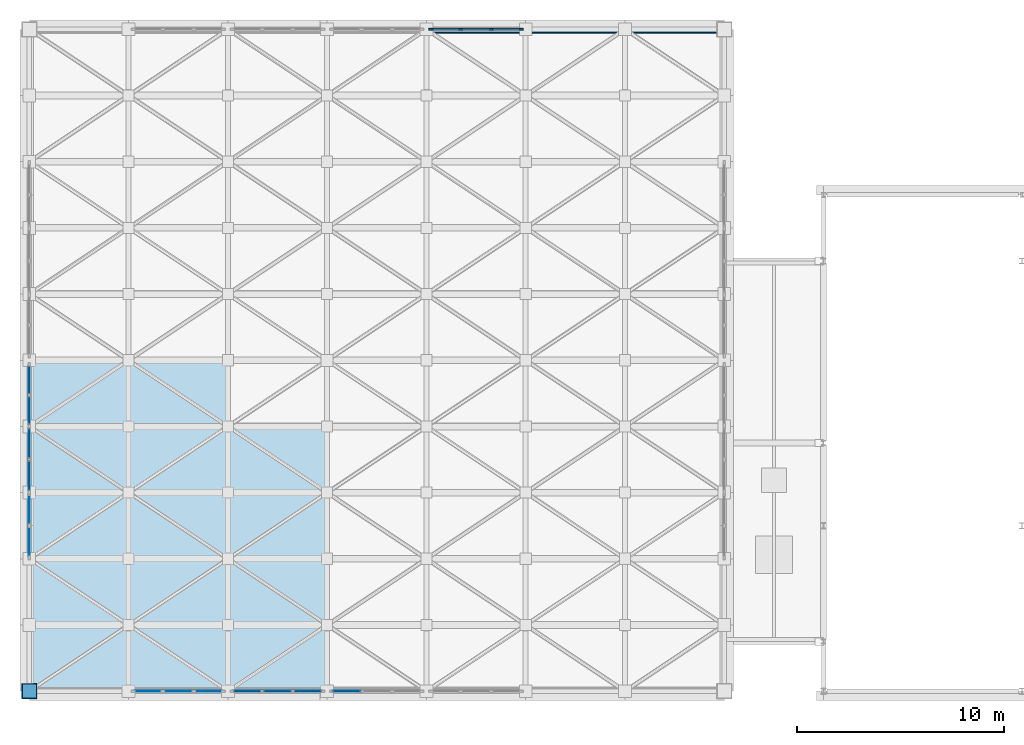
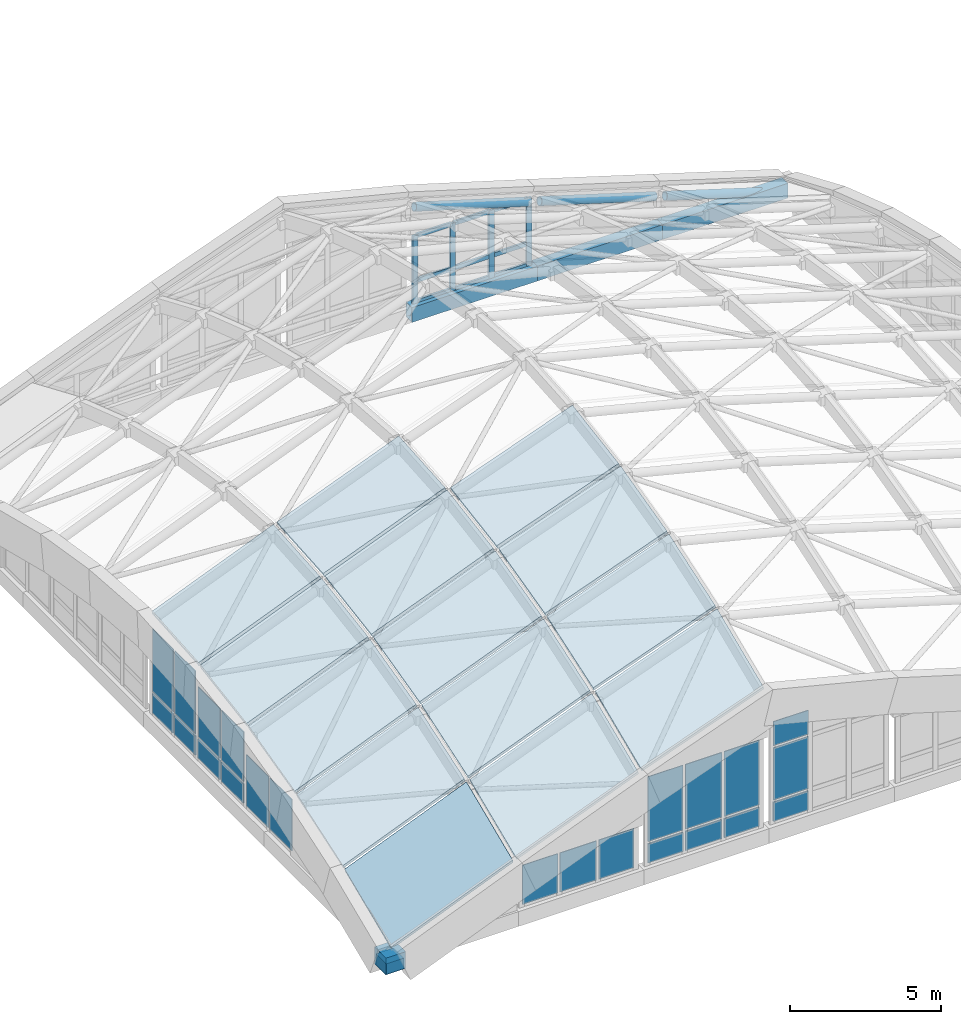
# One storey, part 9 of 14: 24 plates, 16 members, 14 slabs, 3 beams, 7 elements without a shape of their own.
"""IFC4 building model written with IfcOpenShell, lengths in metres."""

from ifc_helpers import new_model, si_unit, direction, frame, origin, origin_2d, place, context, subcontext, project, spatial, polyline, rectangle, hollow_rectangle, hollow_circle, outline, extrude, material, layer, layer_set, material_profile, profile_set, type_object, element, aggregate, save


model = new_model("IFC4")

# Units and contexts
model_context = context("Model", 3, precision=1e-05, world=origin(), true_north=direction((0.0, 1.0)))
body_context = subcontext(model_context, "Body", "Model", "MODEL_VIEW")
ifc_project = project(units=[si_unit("LENGTHUNIT", "METRE"), si_unit("AREAUNIT", "SQUARE_METRE"), si_unit("VOLUMEUNIT", "CUBIC_METRE"), si_unit("PLANEANGLEUNIT", "RADIAN"), si_unit("MASSUNIT", "GRAM", prefix="KILO")], contexts=[model_context])

# Site, building, storey
site_placement = place(None, origin())
site = spatial("IfcSite", under=ifc_project, at=site_placement, CompositionType="ELEMENT")
building_placement = place(site_placement, origin())
building = spatial("IfcBuilding", under=site, at=building_placement, Name="Dunescarp Central Library", CompositionType="ELEMENT")
storey_placement = place(building_placement, frame((0.0, 0.0, 31.800048828125)))
storey = spatial("IfcBuildingStorey", under=building, at=storey_placement, Name="ROOF", CompositionType="ELEMENT", Elevation=31.800048828125)

# Curtain wall, members
ifc_material_1 = material(Name="Marine-grade anodised aluminium 6063-T6", Category="aluminium")
curtain_wall_type = type_object("IfcCurtainWallType", Name="ARC-CW-CROWN", PredefinedType="NOTDEFINED", material=ifc_material_1)
curtain_wall_1_placement = place(storey_placement, origin())
curtain_wall_1 = element("IfcCurtainWall", 1, at=curtain_wall_1_placement, inside=storey, type_object=curtain_wall_type, Name="ROOF curtain wall CW-CROWN-N5", PredefinedType="NOTDEFINED")
ifc_material_profile_1 = material_profile(ifc_material_1, rectangle(XDim=0.090087890625, YDim=0.199951171875, at=origin_2d()), Name="AL 90x200")
ifc_profile_set_1 = profile_set([ifc_material_profile_1], Name="Marine-grade anodised aluminium 6063-T6")
member_type_1 = type_object("IfcMemberType", Name="ARC-CWM-200", PredefinedType="MULLION", material=ifc_profile_set_1)
member_1_placement = place(storey_placement, frame((19.419921875, 36.800048828125, 0.0), z_axis=(0.0, 0.0, 1.0), x_axis=(0.0, 1.0, 0.0)))
member_1 = element("IfcMember", 2, at=member_1_placement, type_object=member_type_1, Name="CW-CROWN-N5 mullion 1", PredefinedType="MULLION", context=body_context, shape_type="SweptSolid", body=[
    extrude(rectangle(XDim=0.090087890625, YDim=0.199951171875, at=origin_2d()), origin(), (0.0, 0.0, 1.0), 2.75),
])
member_2_placement = place(storey_placement, frame((20.8583984375, 36.800048828125, 0.0), z_axis=(0.0, 0.0, 1.0), x_axis=(0.0, 1.0, 0.0)))
member_2 = element("IfcMember", 3, at=member_2_placement, type_object=member_type_1, Name="CW-CROWN-N5 mullion 2", PredefinedType="MULLION", context=body_context, shape_type="SweptSolid", body=[
    extrude(rectangle(XDim=0.090087890625, YDim=0.199951171875, at=origin_2d()), origin(), (0.0, 0.0, 1.0), 2.75),
])
member_3_placement = place(storey_placement, frame((22.341552734375, 36.800048828125, 0.0), z_axis=(0.0, 0.0, 1.0), x_axis=(0.0, 1.0, 0.0)))
member_3 = element("IfcMember", 4, at=member_3_placement, type_object=member_type_1, Name="CW-CROWN-N5 mullion 3", PredefinedType="MULLION", context=body_context, shape_type="SweptSolid", body=[
    extrude(rectangle(XDim=0.090087890625, YDim=0.199951171875, at=origin_2d()), origin(), (0.0, 0.0, 1.0), 2.75),
])
member_4_placement = place(storey_placement, frame((23.780029296875, 36.800048828125, 0.0), z_axis=(0.0, 0.0, 1.0), x_axis=(0.0, 1.0, 0.0)))
member_4 = element("IfcMember", 5, at=member_4_placement, type_object=member_type_1, Name="CW-CROWN-N5 mullion 4", PredefinedType="MULLION", context=body_context, shape_type="SweptSolid", body=[
    extrude(rectangle(XDim=0.090087890625, YDim=0.199951171875, at=origin_2d()), origin(), (0.0, 0.0, 1.0), 2.75),
])
ifc_material_profile_2 = material_profile(ifc_material_1, rectangle(XDim=0.080078125, YDim=0.169921875, at=origin_2d()), Name="AL 80x170")
ifc_profile_set_2 = profile_set([ifc_material_profile_2], Name="Marine-grade anodised aluminium 6063-T6")
member_type_2 = type_object("IfcMemberType", Name="ARC-CWT-170", PredefinedType="USERDEFINED", material=ifc_profile_set_2)
member_5_placement = place(storey_placement, frame((19.465087890625, 36.800048828125, 0.0400390625), z_axis=(1.0, 0.0, 0.0), x_axis=(0.0, 1.0, 0.0)))
member_5 = element("IfcMember", 6, at=member_5_placement, type_object=member_type_2, Name="CW-CROWN-N5 transom 1.1", ObjectType="TRANSOM", PredefinedType="USERDEFINED", context=body_context, shape_type="SweptSolid", body=[
    extrude(rectangle(XDim=0.080078125, YDim=0.169921875, at=origin_2d()), origin(), (0.0, 0.0, 1.0), 1.34814453125),
])
member_6_placement = place(storey_placement, frame((19.465087890625, 36.800048828125, 0.89990234375), z_axis=(1.0, 0.0, 0.0), x_axis=(0.0, 1.0, 0.0)))
member_6 = element("IfcMember", 7, at=member_6_placement, type_object=member_type_2, Name="CW-CROWN-N5 transom 1.2", ObjectType="TRANSOM", PredefinedType="USERDEFINED", context=body_context, shape_type="SweptSolid", body=[
    extrude(rectangle(XDim=0.080078125, YDim=0.169921875, at=origin_2d()), origin(), (0.0, 0.0, 1.0), 1.34814453125),
])
member_7_placement = place(storey_placement, frame((19.465087890625, 36.800048828125, 2.7099609375), z_axis=(1.0, 0.0, 0.0), x_axis=(0.0, 1.0, 0.0)))
member_7 = element("IfcMember", 8, at=member_7_placement, type_object=member_type_2, Name="CW-CROWN-N5 transom 1.3", ObjectType="TRANSOM", PredefinedType="USERDEFINED", context=body_context, shape_type="SweptSolid", body=[
    extrude(rectangle(XDim=0.080078125, YDim=0.169921875, at=origin_2d()), origin(), (0.0, 0.0, 1.0), 1.34814453125),
])
member_8_placement = place(storey_placement, frame((20.9033203125, 36.800048828125, 0.0400390625), z_axis=(1.0, 0.0, 0.0), x_axis=(0.0, 1.0, 0.0)))
member_8 = element("IfcMember", 9, at=member_8_placement, type_object=member_type_2, Name="CW-CROWN-N5 transom 2.1", ObjectType="TRANSOM", PredefinedType="USERDEFINED", context=body_context, shape_type="SweptSolid", body=[
    extrude(rectangle(XDim=0.080078125, YDim=0.169921875, at=origin_2d()), origin(), (0.0, 0.0, 1.0), 1.393310546875),
])
member_9_placement = place(storey_placement, frame((20.9033203125, 36.800048828125, 0.89990234375), z_axis=(1.0, 0.0, 0.0), x_axis=(0.0, 1.0, 0.0)))
member_9 = element("IfcMember", 10, at=member_9_placement, type_object=member_type_2, Name="CW-CROWN-N5 transom 2.2", ObjectType="TRANSOM", PredefinedType="USERDEFINED", context=body_context, shape_type="SweptSolid", body=[
    extrude(rectangle(XDim=0.080078125, YDim=0.169921875, at=origin_2d()), origin(), (0.0, 0.0, 1.0), 1.393310546875),
])
member_10_placement = place(storey_placement, frame((20.9033203125, 36.800048828125, 2.7099609375), z_axis=(1.0, 0.0, 0.0), x_axis=(0.0, 1.0, 0.0)))
member_10 = element("IfcMember", 11, at=member_10_placement, type_object=member_type_2, Name="CW-CROWN-N5 transom 2.3", ObjectType="TRANSOM", PredefinedType="USERDEFINED", context=body_context, shape_type="SweptSolid", body=[
    extrude(rectangle(XDim=0.080078125, YDim=0.169921875, at=origin_2d()), origin(), (0.0, 0.0, 1.0), 1.393310546875),
])
member_11_placement = place(storey_placement, frame((22.38671875, 36.800048828125, 0.0400390625), z_axis=(1.0, 0.0, 0.0), x_axis=(0.0, 1.0, 0.0)))
member_11 = element("IfcMember", 12, at=member_11_placement, type_object=member_type_2, Name="CW-CROWN-N5 transom 3.1", ObjectType="TRANSOM", PredefinedType="USERDEFINED", context=body_context, shape_type="SweptSolid", body=[
    extrude(rectangle(XDim=0.080078125, YDim=0.169921875, at=origin_2d()), origin(), (0.0, 0.0, 1.0), 1.348388671875),
])
member_12_placement = place(storey_placement, frame((22.38671875, 36.800048828125, 0.89990234375), z_axis=(1.0, 0.0, 0.0), x_axis=(0.0, 1.0, 0.0)))
member_12 = element("IfcMember", 13, at=member_12_placement, type_object=member_type_2, Name="CW-CROWN-N5 transom 3.2", ObjectType="TRANSOM", PredefinedType="USERDEFINED", context=body_context, shape_type="SweptSolid", body=[
    extrude(rectangle(XDim=0.080078125, YDim=0.169921875, at=origin_2d()), origin(), (0.0, 0.0, 1.0), 1.348388671875),
])
member_13_placement = place(storey_placement, frame((22.38671875, 36.800048828125, 2.7099609375), z_axis=(1.0, 0.0, 0.0), x_axis=(0.0, 1.0, 0.0)))
member_13 = element("IfcMember", 14, at=member_13_placement, type_object=member_type_2, Name="CW-CROWN-N5 transom 3.3", ObjectType="TRANSOM", PredefinedType="USERDEFINED", context=body_context, shape_type="SweptSolid", body=[
    extrude(rectangle(XDim=0.080078125, YDim=0.169921875, at=origin_2d()), origin(), (0.0, 0.0, 1.0), 1.348388671875),
])
aggregate(curtain_wall_1, [member_1, member_2, member_3, member_4, member_5, member_6, member_7, member_8, member_9, member_10, member_11, member_12, member_13])

# Members
ifc_material_2 = material(Name="Steel S355J0", Category="steel")
ifc_material_profile_3 = material_profile(ifc_material_2, hollow_circle(Radius=0.161865234375, WallThickness=0.012451171875, at=origin_2d()), Name="CHS 323.9x12.5")
ifc_profile_set_3 = profile_set([ifc_material_profile_3], Name="Steel S355J0")
member_type_3 = type_object("IfcMemberType", Name="STR-GS-ARCH", PredefinedType="USERDEFINED", material=ifc_profile_set_3)
member_14_placement = place(storey_placement, frame((19.39111328125, 36.800048828125, 3.90185546875), z_axis=(0.957312244465, 0.0, -0.289055819173), x_axis=(0.0, 1.0, 0.0)))
element("IfcMember", 15, at=member_14_placement, inside=storey, type_object=member_type_3, Name="Gridshell arch rib GS-A-410", ObjectType="ARCH_SEGMENT", PredefinedType="USERDEFINED", context=body_context, shape_type="SweptSolid", body=[
    extrude(hollow_circle(Radius=0.161865234375, WallThickness=0.012451171875, at=origin_2d()), origin(), (0.0, 0.0, 1.0), 4.614990234375),
])
member_15_placement = place(storey_placement, frame((24.19091796875, 36.800048828125, 2.450927734375), z_axis=(0.956223495748, 0.0, -0.292637362923), x_axis=(0.0, 1.0, 0.0)))
element("IfcMember", 16, at=member_15_placement, inside=storey, type_object=member_type_3, Name="Gridshell arch rib GS-A-510", ObjectType="ARCH_SEGMENT", PredefinedType="USERDEFINED", context=body_context, shape_type="SweptSolid", body=[
    extrude(hollow_circle(Radius=0.161865234375, WallThickness=0.012451171875, at=origin_2d()), origin(), (0.0, 0.0, 1.0), 4.6201171875),
])
member_16_placement = place(storey_placement, frame((28.990966796875, 36.800048828125, 0.98095703125), z_axis=(0.955615584441, 0.0, -0.294616453669), x_axis=(0.0, 1.0, 0.0)))
element("IfcMember", 17, at=member_16_placement, inside=storey, type_object=member_type_3, Name="Gridshell arch rib GS-A-610", ObjectType="ARCH_SEGMENT", PredefinedType="USERDEFINED", context=body_context, shape_type="SweptSolid", body=[
    extrude(hollow_circle(Radius=0.161865234375, WallThickness=0.012451171875, at=origin_2d()), origin(), (0.0, 0.0, 1.0), 4.623046875),
])

# Beams
ifc_material_profile_4 = material_profile(ifc_material_2, hollow_rectangle(XDim=0.39990234375, YDim=0.60009765625, WallThickness=0.02001953125, at=origin_2d()), Name="RHS 600x400x20")
ifc_profile_set_4 = profile_set([ifc_material_profile_4], Name="Steel S355J0")
beam_type = type_object("IfcBeamType", Name="STR-SP-GRB1", PredefinedType="SPANDREL", material=ifc_profile_set_4)
for number, where, z_axis, x_axis, name in (
    (18, (19.199951171875, 36.800048828125, -0.300048828125), (1.0, 0.0, 0.0), (0.0, 1.0, 0.0), "Gridshell ring beam GRB-1 GRB1-N10"),
    (19, (24.0, 36.800048828125, -0.300048828125), (1.0, 0.0, 0.0), (0.0, 1.0, 0.0), "Gridshell ring beam GRB-1 GRB1-N12"),
    (20, (28.800048828125, 36.800048828125, -0.300048828125), (1.0, 0.0, 0.0), (0.0, 1.0, 0.0), "Gridshell ring beam GRB-1 GRB1-N14"),
):
    element("IfcBeam", number, at=place(storey_placement, frame(where, z_axis=z_axis, x_axis=x_axis)), inside=storey, type_object=beam_type, Name=name, PredefinedType="SPANDREL", context=body_context, shape_type="SweptSolid", body=[
        extrude(hollow_rectangle(XDim=0.39990234375, YDim=0.60009765625, WallThickness=0.02001953125, at=origin_2d()), origin(), (0.0, 0.0, 1.0), 4.800048828125),
    ])

# Curtain wall, plates
curtain_wall_2_placement = place(storey_placement, origin())
curtain_wall_2 = element("IfcCurtainWall", 21, at=curtain_wall_2_placement, inside=storey, type_object=curtain_wall_type, Name="ROOF curtain wall CW-CROWN-S2", PredefinedType="NOTDEFINED")
ifc_material_3 = material(Name="Solar-control laminated double glazing", Category="glass")
ifc_layer_1 = layer(ifc_material_3, 0.031982421875)
ifc_layer_set_1 = layer_set([ifc_layer_1], Name="Solar-control laminated double glazing")
plate_type_1 = type_object("IfcPlateType", Name="ARC-PLT-GLZ32", PredefinedType="CURTAIN_PANEL", material=ifc_layer_set_1)
plate_1_placement = place(storey_placement, frame((8.660888671875, 4.800048828125, 0.080078125), z_axis=(0.0, 0.0, 1.0), x_axis=(-1.0, 0.0, 0.0)))
plate_1 = element("IfcPlate", 22, at=plate_1_placement, type_object=plate_type_1, Name="CW-CROWN-S2 panel 1.1", PredefinedType="CURTAIN_PANEL", context=body_context, shape_type="SweptSolid", body=[
    extrude(rectangle(XDim=1.348388671875, YDim=0.031982421875, at=origin_2d()), origin(), (0.0, 0.0, 1.0), 1.590087890625),
])
plate_2_placement = place(storey_placement, frame((7.199951171875, 4.800048828125, 0.080078125), z_axis=(0.0, 0.0, 1.0), x_axis=(-1.0, 0.0, 0.0)))
plate_2 = element("IfcPlate", 23, at=plate_2_placement, type_object=plate_type_1, Name="CW-CROWN-S2 panel 2.1", PredefinedType="CURTAIN_PANEL", context=body_context, shape_type="SweptSolid", body=[
    extrude(rectangle(XDim=1.393310546875, YDim=0.031982421875, at=origin_2d()), origin(), (0.0, 0.0, 1.0), 1.590087890625),
])
plate_3_placement = place(storey_placement, frame((5.7392578125, 4.800048828125, 0.080078125), z_axis=(0.0, 0.0, 1.0), x_axis=(-1.0, 0.0, 0.0)))
plate_3 = element("IfcPlate", 24, at=plate_3_placement, type_object=plate_type_1, Name="CW-CROWN-S2 panel 3.1", PredefinedType="CURTAIN_PANEL", context=body_context, shape_type="SweptSolid", body=[
    extrude(rectangle(XDim=1.348388671875, YDim=0.031982421875, at=origin_2d()), origin(), (0.0, 0.0, 1.0), 1.590087890625),
])
aggregate(curtain_wall_2, [plate_1, plate_2, plate_3])

curtain_wall_3_placement = place(storey_placement, origin())
curtain_wall_3 = element("IfcCurtainWall", 25, at=curtain_wall_3_placement, inside=storey, type_object=curtain_wall_type, Name="ROOF curtain wall CW-CROWN-S3", PredefinedType="NOTDEFINED")
plate_4_placement = place(storey_placement, frame((13.4609375, 4.800048828125, 0.93994140625), z_axis=(0.0, 0.0, 1.0), x_axis=(-1.0, 0.0, 0.0)))
plate_4 = element("IfcPlate", 26, at=plate_4_placement, type_object=plate_type_1, Name="CW-CROWN-S3 panel 1.2", PredefinedType="CURTAIN_PANEL", context=body_context, shape_type="SweptSolid", body=[
    extrude(rectangle(XDim=1.348388671875, YDim=0.031982421875, at=origin_2d()), origin(), (0.0, 0.0, 1.0), 2.6298828125),
])
plate_5_placement = place(storey_placement, frame((12.0, 4.800048828125, 0.93994140625), z_axis=(0.0, 0.0, 1.0), x_axis=(-1.0, 0.0, 0.0)))
plate_5 = element("IfcPlate", 27, at=plate_5_placement, type_object=plate_type_1, Name="CW-CROWN-S3 panel 2.2", PredefinedType="CURTAIN_PANEL", context=body_context, shape_type="SweptSolid", body=[
    extrude(rectangle(XDim=1.393310546875, YDim=0.031982421875, at=origin_2d()), origin(), (0.0, 0.0, 1.0), 2.6298828125),
])
plate_6_placement = place(storey_placement, frame((10.5390625, 4.800048828125, 0.93994140625), z_axis=(0.0, 0.0, 1.0), x_axis=(-1.0, 0.0, 0.0)))
plate_6 = element("IfcPlate", 28, at=plate_6_placement, type_object=plate_type_1, Name="CW-CROWN-S3 panel 3.2", PredefinedType="CURTAIN_PANEL", context=body_context, shape_type="SweptSolid", body=[
    extrude(rectangle(XDim=1.348388671875, YDim=0.031982421875, at=origin_2d()), origin(), (0.0, 0.0, 1.0), 2.6298828125),
])

curtain_wall_4_placement = place(storey_placement, origin())
curtain_wall_4 = element("IfcCurtainWall", 29, at=curtain_wall_4_placement, inside=storey, type_object=curtain_wall_type, Name="ROOF curtain wall CW-CROWN-S4", PredefinedType="NOTDEFINED")
plate_7_placement = place(storey_placement, frame((15.339111328125, 4.800048828125, 0.93994140625), z_axis=(0.0, 0.0, 1.0), x_axis=(-1.0, 0.0, 0.0)))
plate_7 = element("IfcPlate", 30, at=plate_7_placement, type_object=plate_type_1, Name="CW-CROWN-S4 panel 3.2", PredefinedType="CURTAIN_PANEL", context=body_context, shape_type="SweptSolid", body=[
    extrude(rectangle(XDim=1.348388671875, YDim=0.031982421875, at=origin_2d()), origin(), (0.0, 0.0, 1.0), 2.1201171875),
])
plate_8_placement = place(storey_placement, frame((15.339111328125, 4.800048828125, 3.139892578125), z_axis=(0.0, 0.0, 1.0), x_axis=(-1.0, 0.0, 0.0)))
plate_8 = element("IfcPlate", 31, at=plate_8_placement, type_object=plate_type_1, Name="CW-CROWN-S4 panel 3.3", PredefinedType="CURTAIN_PANEL", context=body_context, shape_type="SweptSolid", body=[
    extrude(rectangle(XDim=1.348388671875, YDim=0.031982421875, at=origin_2d()), origin(), (0.0, 0.0, 1.0), 0.97998046875),
])

curtain_wall_5_placement = place(storey_placement, origin())
curtain_wall_5 = element("IfcCurtainWall", 32, at=curtain_wall_5_placement, inside=storey, type_object=curtain_wall_type, Name="ROOF curtain wall CW-CROWN-W3", PredefinedType="NOTDEFINED")
plate_9_placement = place(storey_placement, frame((0.0, 12.0224609375, 0.079833984375), z_axis=(0.0, 0.0, 1.0), x_axis=(0.0, 1.0, 0.0)))
plate_9 = element("IfcPlate", 33, at=plate_9_placement, type_object=plate_type_1, Name="CW-CROWN-W3 panel 1.1", PredefinedType="CURTAIN_PANEL", context=body_context, shape_type="SweptSolid", body=[
    extrude(rectangle(XDim=1.465087890625, YDim=0.031982421875, at=origin_2d()), origin(), (0.0, 0.0, 1.0), 2.080078125),
])
plate_10_placement = place(storey_placement, frame((0.0, 13.577392578125, 0.079833984375), z_axis=(0.0, 0.0, 1.0), x_axis=(0.0, 1.0, 0.0)))
plate_10 = element("IfcPlate", 34, at=plate_10_placement, type_object=plate_type_1, Name="CW-CROWN-W3 panel 2.1", PredefinedType="CURTAIN_PANEL", context=body_context, shape_type="SweptSolid", body=[
    extrude(rectangle(XDim=1.465087890625, YDim=0.031982421875, at=origin_2d()), origin(), (0.0, 0.0, 1.0), 2.080078125),
])
aggregate(curtain_wall_5, [plate_9, plate_10])

curtain_wall_6_placement = place(storey_placement, origin())
curtain_wall_6 = element("IfcCurtainWall", 35, at=curtain_wall_6_placement, inside=storey, type_object=curtain_wall_type, Name="ROOF curtain wall CW-CROWN-W4", PredefinedType="NOTDEFINED")
plate_11_placement = place(storey_placement, frame((0.0, 15.222412109375, 0.93994140625), z_axis=(0.0, 0.0, 1.0), x_axis=(0.0, 1.0, 0.0)))
plate_11 = element("IfcPlate", 36, at=plate_11_placement, type_object=plate_type_1, Name="CW-CROWN-W4 panel 1.2", PredefinedType="CURTAIN_PANEL", context=body_context, shape_type="SweptSolid", body=[
    extrude(rectangle(XDim=1.465087890625, YDim=0.031982421875, at=origin_2d()), origin(), (0.0, 0.0, 1.0), 2.02001953125),
])
plate_12_placement = place(storey_placement, frame((0.0, 16.777587890625, 0.93994140625), z_axis=(0.0, 0.0, 1.0), x_axis=(0.0, 1.0, 0.0)))
plate_12 = element("IfcPlate", 37, at=plate_12_placement, type_object=plate_type_1, Name="CW-CROWN-W4 panel 2.2", PredefinedType="CURTAIN_PANEL", context=body_context, shape_type="SweptSolid", body=[
    extrude(rectangle(XDim=1.465087890625, YDim=0.031982421875, at=origin_2d()), origin(), (0.0, 0.0, 1.0), 2.02001953125),
])

curtain_wall_7_placement = place(storey_placement, origin())
curtain_wall_7 = element("IfcCurtainWall", 38, at=curtain_wall_7_placement, inside=storey, type_object=curtain_wall_type, Name="ROOF curtain wall CW-CROWN-W5", PredefinedType="NOTDEFINED")
plate_13_placement = place(storey_placement, frame((0.0, 18.378662109375, 0.93994140625), z_axis=(0.0, 0.0, 1.0), x_axis=(0.0, 1.0, 0.0)))
plate_13 = element("IfcPlate", 39, at=plate_13_placement, type_object=plate_type_1, Name="CW-CROWN-W5 panel 1.2", PredefinedType="CURTAIN_PANEL", context=body_context, shape_type="SweptSolid", body=[
    extrude(rectangle(XDim=1.37744140625, YDim=0.031982421875, at=origin_2d()), origin(), (0.0, 0.0, 1.0), 2.5400390625),
])
plate_14_placement = place(storey_placement, frame((0.0, 19.84619140625, 0.93994140625), z_axis=(0.0, 0.0, 1.0), x_axis=(0.0, 1.0, 0.0)))
plate_14 = element("IfcPlate", 40, at=plate_14_placement, type_object=plate_type_1, Name="CW-CROWN-W5 panel 2.2", PredefinedType="CURTAIN_PANEL", context=body_context, shape_type="SweptSolid", body=[
    extrude(rectangle(XDim=1.37744140625, YDim=0.031982421875, at=origin_2d()), origin(), (0.0, 0.0, 1.0), 2.5400390625),
])

# Plate
ifc_layer_2 = layer(ifc_material_1, 0.050048828125)
ifc_layer_set_2 = layer_set([ifc_layer_2], Name="Marine-grade anodised aluminium 6063-T6")
plate_type_2 = type_object("IfcPlateType", Name="ARC-PLT-SPN50", PredefinedType="SHEET", material=ifc_layer_set_2)
plate_15_placement = place(storey_placement, frame((13.4609375, 4.800048828125, 0.080078125), z_axis=(0.0, 0.0, 1.0), x_axis=(-1.0, 0.0, 0.0)))
plate_15 = element("IfcPlate", 41, at=plate_15_placement, type_object=plate_type_2, Name="CW-CROWN-S3 panel 1.1", PredefinedType="SHEET", context=body_context, shape_type="SweptSolid", body=[
    extrude(rectangle(XDim=1.348388671875, YDim=0.050048828125, at=origin_2d()), origin(), (0.0, 0.0, 1.0), 0.780029296875),
])

plate_16_placement = place(storey_placement, frame((12.0, 4.800048828125, 0.080078125), z_axis=(0.0, 0.0, 1.0), x_axis=(-1.0, 0.0, 0.0)))
plate_16 = element("IfcPlate", 42, at=plate_16_placement, type_object=plate_type_2, Name="CW-CROWN-S3 panel 2.1", PredefinedType="SHEET", context=body_context, shape_type="SweptSolid", body=[
    extrude(rectangle(XDim=1.393310546875, YDim=0.050048828125, at=origin_2d()), origin(), (0.0, 0.0, 1.0), 0.780029296875),
])

plate_17_placement = place(storey_placement, frame((10.5390625, 4.800048828125, 0.080078125), z_axis=(0.0, 0.0, 1.0), x_axis=(-1.0, 0.0, 0.0)))
plate_17 = element("IfcPlate", 43, at=plate_17_placement, type_object=plate_type_2, Name="CW-CROWN-S3 panel 3.1", PredefinedType="SHEET", context=body_context, shape_type="SweptSolid", body=[
    extrude(rectangle(XDim=1.348388671875, YDim=0.050048828125, at=origin_2d()), origin(), (0.0, 0.0, 1.0), 0.780029296875),
])

aggregate(curtain_wall_3, [plate_15, plate_4, plate_16, plate_5, plate_17, plate_6])

plate_18_placement = place(storey_placement, frame((15.339111328125, 4.800048828125, 0.080078125), z_axis=(0.0, 0.0, 1.0), x_axis=(-1.0, 0.0, 0.0)))
plate_18 = element("IfcPlate", 44, at=plate_18_placement, type_object=plate_type_2, Name="CW-CROWN-S4 panel 3.1", PredefinedType="SHEET", context=body_context, shape_type="SweptSolid", body=[
    extrude(rectangle(XDim=1.348388671875, YDim=0.050048828125, at=origin_2d()), origin(), (0.0, 0.0, 1.0), 0.780029296875),
])

aggregate(curtain_wall_4, [plate_18, plate_7, plate_8])

plate_19_placement = place(storey_placement, frame((0.0, 15.222412109375, 0.080078125), z_axis=(0.0, 0.0, 1.0), x_axis=(0.0, 1.0, 0.0)))
plate_19 = element("IfcPlate", 45, at=plate_19_placement, type_object=plate_type_2, Name="CW-CROWN-W4 panel 1.1", PredefinedType="SHEET", context=body_context, shape_type="SweptSolid", body=[
    extrude(rectangle(XDim=1.465087890625, YDim=0.050048828125, at=origin_2d()), origin(), (0.0, 0.0, 1.0), 0.780029296875),
])

plate_20_placement = place(storey_placement, frame((0.0, 16.777587890625, 0.080078125), z_axis=(0.0, 0.0, 1.0), x_axis=(0.0, 1.0, 0.0)))
plate_20 = element("IfcPlate", 46, at=plate_20_placement, type_object=plate_type_2, Name="CW-CROWN-W4 panel 2.1", PredefinedType="SHEET", context=body_context, shape_type="SweptSolid", body=[
    extrude(rectangle(XDim=1.465087890625, YDim=0.050048828125, at=origin_2d()), origin(), (0.0, 0.0, 1.0), 0.780029296875),
])

aggregate(curtain_wall_6, [plate_19, plate_11, plate_20, plate_12])

plate_21_placement = place(storey_placement, frame((0.0, 18.378662109375, 0.080078125), z_axis=(0.0, 0.0, 1.0), x_axis=(0.0, 1.0, 0.0)))
plate_21 = element("IfcPlate", 47, at=plate_21_placement, type_object=plate_type_2, Name="CW-CROWN-W5 panel 1.1", PredefinedType="SHEET", context=body_context, shape_type="SweptSolid", body=[
    extrude(rectangle(XDim=1.37744140625, YDim=0.050048828125, at=origin_2d()), origin(), (0.0, 0.0, 1.0), 0.780029296875),
])

plate_22_placement = place(storey_placement, frame((0.0, 19.84619140625, 0.080078125), z_axis=(0.0, 0.0, 1.0), x_axis=(0.0, 1.0, 0.0)))
plate_22 = element("IfcPlate", 48, at=plate_22_placement, type_object=plate_type_2, Name="CW-CROWN-W5 panel 2.1", PredefinedType="SHEET", context=body_context, shape_type="SweptSolid", body=[
    extrude(rectangle(XDim=1.37744140625, YDim=0.050048828125, at=origin_2d()), origin(), (0.0, 0.0, 1.0), 0.780029296875),
])

aggregate(curtain_wall_7, [plate_21, plate_13, plate_22, plate_14])

# Plates
ifc_layer_3 = layer(ifc_material_2, 0.419921875)
ifc_layer_set_3 = layer_set([ifc_layer_3], Name="Steel S355J0")
plate_type_3 = type_object("IfcPlateType", Name="STR-NODE-GN01", PredefinedType="USERDEFINED", material=ifc_layer_set_3)
plate_23_placement = place(storey_placement, frame((0.0, 4.800048828125, -0.64990234375), z_axis=(0.0, 0.0, 1.0), x_axis=(1.0, 0.0, 0.0)))
element("IfcPlate", 49, at=plate_23_placement, inside=storey, type_object=plate_type_3, Name="GN-01 gridshell node GN-000", ObjectType="BASE_PLATE", PredefinedType="USERDEFINED", context=body_context, shape_type="SweptSolid", body=[
    extrude(rectangle(XDim=0.679931640625, YDim=0.679931640625, at=origin_2d()), origin(), (0.0, 0.0, 1.0), 0.419921875),
])
ifc_layer_4 = layer(ifc_material_2, 0.035888671875)
ifc_layer_set_4 = layer_set([ifc_layer_4], Name="Steel S355J0")
plate_type_4 = type_object("IfcPlateType", Name="STR-PLT-ECP3", PredefinedType="USERDEFINED", material=ifc_layer_set_4)
plate_24_placement = place(storey_placement, frame((0.0, 4.800048828125, -0.64013671875), z_axis=(0.0, 0.0, 1.0), x_axis=(1.0, 0.0, 0.0)))
element("IfcPlate", 50, at=plate_24_placement, inside=storey, type_object=plate_type_4, Name="Ring beam corner closure ECP-GRB-01", ObjectType="GUSSET_PLATE", PredefinedType="USERDEFINED", context=body_context, shape_type="SweptSolid", body=[
    extrude(rectangle(XDim=0.760009765625, YDim=0.760009765625, at=origin_2d()), origin(), (0.0, 0.0, 1.0), 0.679931640625),
])

# Slabs
ifc_material_4 = material(Name="Concrete C35/45", Category="concrete")
ifc_layer_5 = layer(ifc_material_4, 0.159912109375)
ifc_layer_set_5 = layer_set([ifc_layer_5], Name="Concrete C35/45")
slab_type = type_object("IfcSlabType", Name="STR-SLB-GSCASS160", PredefinedType="ROOF", material=ifc_layer_set_5)
slab_1_placement = place(storey_placement, frame((0.06494140625, 4.864990234375, 0.053955078125), z_axis=(-0.350155966815, -0.366414368357, 0.862050642112), x_axis=(0.926486103583, 0.0, 0.376328978245)))
element("IfcSlab", 51, at=slab_1_placement, inside=storey, type_object=slab_type, Name="Gridshell planar roof cassette GS-CASS-000", PredefinedType="ROOF", context=body_context, shape_type="SweptSolid", body=[
    extrude(outline(polyline([(0.0, 0.0), (5.040729696389092, 0.0), (5.531813287384724, 3.299545911878572), (0.49108359099563187, 3.2995459118785715), (0.0, 0.0)])), origin(), (0.0, 0.0, -1.0), 0.159912109375),
])
slab_2_placement = place(storey_placement, frame((0.06494140625, 8.06494140625, 1.407958984375), z_axis=(-0.359364540126, -0.298381046938, 0.884209182336), x_axis=(0.92641085128, -6.388681e-06, 0.376514189094)))
element("IfcSlab", 52, at=slab_2_placement, inside=storey, type_object=slab_type, Name="Gridshell planar roof cassette GS-CASS-001", PredefinedType="ROOF", context=body_context, shape_type="SweptSolid", body=[
    extrude(outline(polyline([(0.0, 0.0), (5.04109728519519, 0.0), (5.431196377198646, 3.2166307875077345), (0.3900071695940089, 3.2165633007558876), (0.0, 0.0)])), origin(), (0.0, 0.0, -1.0), 0.159912109375),
])
slab_3_placement = place(storey_placement, frame((0.06494140625, 11.264892578125, 2.48291015625), z_axis=(-0.366633449215, -0.225528545971, 0.902616634496), x_axis=(0.926486103583, 0.0, 0.376328978245)))
element("IfcSlab", 53, at=slab_3_placement, inside=storey, type_object=slab_type, Name="Gridshell planar roof cassette GS-CASS-002", PredefinedType="ROOF", context=body_context, shape_type="SweptSolid", body=[
    extrude(outline(polyline([(0.0, 0.0), (5.040729696389092, 0.0), (5.329407833509443, 3.1512555422828896), (0.2886781371203509, 3.1512555422828896), (0.0, 0.0)])), origin(), (0.0, 0.0, -1.0), 0.159912109375),
])
slab_4_placement = place(storey_placement, frame((0.06494140625, 14.465087890625, 3.27685546875), z_axis=(-0.372154831146, -0.148890898112, 0.916150796602), x_axis=(0.926477472723, 3.303268e-06, 0.376350225888)))
element("IfcSlab", 54, at=slab_4_placement, inside=storey, type_object=slab_type, Name="Gridshell planar roof cassette GS-CASS-003", PredefinedType="ROOF", context=body_context, shape_type="SweptSolid", body=[
    extrude(outline(polyline([(0.0, 0.0), (5.040821577415362, 0.0), (5.228547418915387, 3.104409850026451), (0.1878177238793913, 3.1044435274760764), (0.0, 0.0)])), origin(), (0.0, 0.0, -1.0), 0.159912109375),
])
slab_5_placement = place(storey_placement, frame((0.06494140625, 17.6650390625, 3.791015625), z_axis=(-0.375418220277, -0.069529601064, 0.924243904205), x_axis=(0.926486103583, 0.0, 0.376328978245)))
element("IfcSlab", 55, at=slab_5_placement, inside=storey, type_object=slab_type, Name="Gridshell planar roof cassette GS-CASS-004", PredefinedType="ROOF", context=body_context, shape_type="SweptSolid", body=[
    extrude(outline(polyline([(0.0, 0.0), (5.040729696389092, 1.3877787807814457e-17), (5.1276455199778415, 3.0775162909608147), (0.08691582358874982, 3.0775162909608147), (0.0, 0.0)])), origin(), (0.0, 0.0, -1.0), 0.159912109375),
])
slab_6_placement = place(storey_placement, frame((4.864990234375, 4.864990234375, 2.0029296875), z_axis=(-0.342386148586, -0.367536237312, 0.864690025107), x_axis=(0.929765021699, 0.0, 0.368153506605)))
element("IfcSlab", 56, at=slab_6_placement, inside=storey, type_object=slab_type, Name="Gridshell planar roof cassette GS-CASS-100", PredefinedType="ROOF", context=body_context, shape_type="SweptSolid", body=[
    extrude(outline(polyline([(0.0, 0.0), (5.0226904282420906, 0.0), (5.5031055876183395, 3.301116113162524), (0.4804151593762486, 3.301116113162524), (0.0, 0.0)])), origin(), (0.0, 0.0, -1.0), 0.159912109375),
])
slab_7_placement = place(storey_placement, frame((4.864990234375, 8.06494140625, 3.35791015625), z_axis=(-0.351086533489, -0.299386873029, 0.887189802838), x_axis=(0.929839134888, 6.455859e-06, 0.367966279961)))
element("IfcSlab", 57, at=slab_7_placement, inside=storey, type_object=slab_type, Name="Gridshell planar roof cassette GS-CASS-101", PredefinedType="ROOF", context=body_context, shape_type="SweptSolid", body=[
    extrude(outline(polyline([(0.0, 0.0), (5.022330984240685, -1.1102230246251565e-16), (5.403522905212385, 3.21761989355666), (0.381281756489269, 3.2176878572686833), (0.0, 0.0)])), origin(), (0.0, 0.0, -1.0), 0.159912109375),
])
slab_8_placement = place(storey_placement, frame((4.864990234375, 11.264892578125, 4.431884765625), z_axis=(-0.358586237919, -0.226253664296, 0.905662845306), x_axis=(0.929772914773, 4.980074e-06, 0.36813357213)))
element("IfcSlab", 58, at=slab_8_placement, inside=storey, type_object=slab_type, Name="Gridshell planar roof cassette GS-CASS-102", PredefinedType="ROOF", context=body_context, shape_type="SweptSolid", body=[
    extrude(outline(polyline([(0.0, 0.0), (5.022690427025381, 5.551115123125783e-17), (5.3050073641578335, 3.151772390008933), (0.2824068134928358, 3.1518237481005213), (0.0, 0.0)])), origin(), (0.0, 0.0, -1.0), 0.159912109375),
])
slab_9_placement = place(storey_placement, frame((4.864990234375, 14.465087890625, 5.225830078125), z_axis=(-0.364019259497, -0.149443165998, 0.919324055408), x_axis=(0.929765021699, 0.0, 0.368153506605)))
element("IfcSlab", 59, at=slab_9_placement, inside=storey, type_object=slab_type, Name="Gridshell planar roof cassette GS-CASS-103", PredefinedType="ROOF", context=body_context, shape_type="SweptSolid", body=[
    extrude(outline(polyline([(0.0, 0.0), (5.0226904282420906, 0.0), (5.2064076566359265, 3.104688890241605), (0.18371722839383575, 3.104688890241605), (0.0, 0.0)])), origin(), (0.0, 0.0, -1.0), 0.159912109375),
])
slab_10_placement = place(storey_placement, frame((4.864990234375, 17.6650390625, 5.740966796875), z_axis=(-0.36705400805, -0.069487060096, 0.927600616458), x_axis=(0.929848196293, 0.0, 0.367943381312)))
element("IfcSlab", 60, at=slab_10_placement, inside=storey, type_object=slab_type, Name="Gridshell planar roof cassette GS-CASS-104", PredefinedType="ROOF", context=body_context, shape_type="SweptSolid", body=[
    extrude(outline(polyline([(0.0, 0.0), (5.022241150350663, -1.3877787807814457e-17), (5.106860941658289, 3.0775071467278563), (0.08461979130762622, 3.0775071467278563), (0.0, 0.0)])), origin(), (0.0, 0.0, -1.0), 0.159912109375),
])
slab_11_placement = place(storey_placement, frame((9.6650390625, 4.864990234375, 3.90087890625), z_axis=(-0.318170224927, -0.370880581479, 0.872476533926), x_axis=(0.939478606325, 7.94643e-06, 0.342607571713)))
element("IfcSlab", 61, at=slab_11_placement, inside=storey, type_object=slab_type, Name="Gridshell planar roof cassette GS-CASS-200", PredefinedType="ROOF", context=body_context, shape_type="SweptSolid", body=[
    extrude(outline(polyline([(0.0, 0.0), (4.9707952153438715, 0.0), (5.4178990720712905, 3.305792559719414), (0.44718750115410655, 3.3058776260874523), (0.0, 0.0)])), origin(), (0.0, 0.0, -1.0), 0.159912109375),
])
slab_12_placement = place(storey_placement, frame((9.6650390625, 8.06494140625, 5.255859375), z_axis=(-0.326417714215, -0.302227002237, 0.895606115972), x_axis=(0.939542195252, 6.647582e-06, 0.342433151574)))
element("IfcSlab", 62, at=slab_12_placement, inside=storey, type_object=slab_type, Name="Gridshell planar roof cassette GS-CASS-201", PredefinedType="ROOF", context=body_context, shape_type="SweptSolid", body=[
    extrude(outline(polyline([(0.0, 0.0), (4.9704607039926225, 0.0), (5.325203735114869, 3.220643172049999), (0.35482663296589223, 3.2207124964765756), (0.0, 0.0)])), origin(), (0.0, 0.0, -1.0), 0.159912109375),
])
slab_13_placement = place(storey_placement, frame((9.6650390625, 11.264892578125, 6.329833984375), z_axis=(-0.333559658497, -0.228525568859, 0.914611403057), x_axis=(0.939471789044, 0.0, 0.34262626518)))
element("IfcSlab", 63, at=slab_13_placement, inside=storey, type_object=slab_type, Name="Gridshell planar roof cassette GS-CASS-202", PredefinedType="ROOF", context=body_context, shape_type="SweptSolid", body=[
    extrude(outline(polyline([(0.0, 0.0), (4.970795216484836, -5.551115123125783e-17), (5.233620344706592, 3.1535170067077685), (0.2628251282217562, 3.1535170067077685), (0.0, 0.0)])), origin(), (0.0, 0.0, -1.0), 0.159912109375),
])
slab_14_placement = place(storey_placement, frame((9.6650390625, 14.465087890625, 7.1240234375), z_axis=(-0.33865632355, -0.150970459184, 0.928719449012), x_axis=(0.939487597825, 0.0, 0.342582914828)))
element("IfcSlab", 64, at=slab_14_placement, inside=storey, type_object=slab_type, Name="Gridshell planar roof cassette GS-CASS-203", PredefinedType="ROOF", context=body_context, shape_type="SweptSolid", body=[
    extrude(outline(polyline([(0.0, 0.0), (4.97071157278606, 0.0), (5.141668476572366, 3.1054176630923847), (0.17095690378630654, 3.1054176630923847), (0.0, 0.0)])), origin(), (0.0, 0.0, -1.0), 0.159912109375),
])

save(model, "model.ifc")
